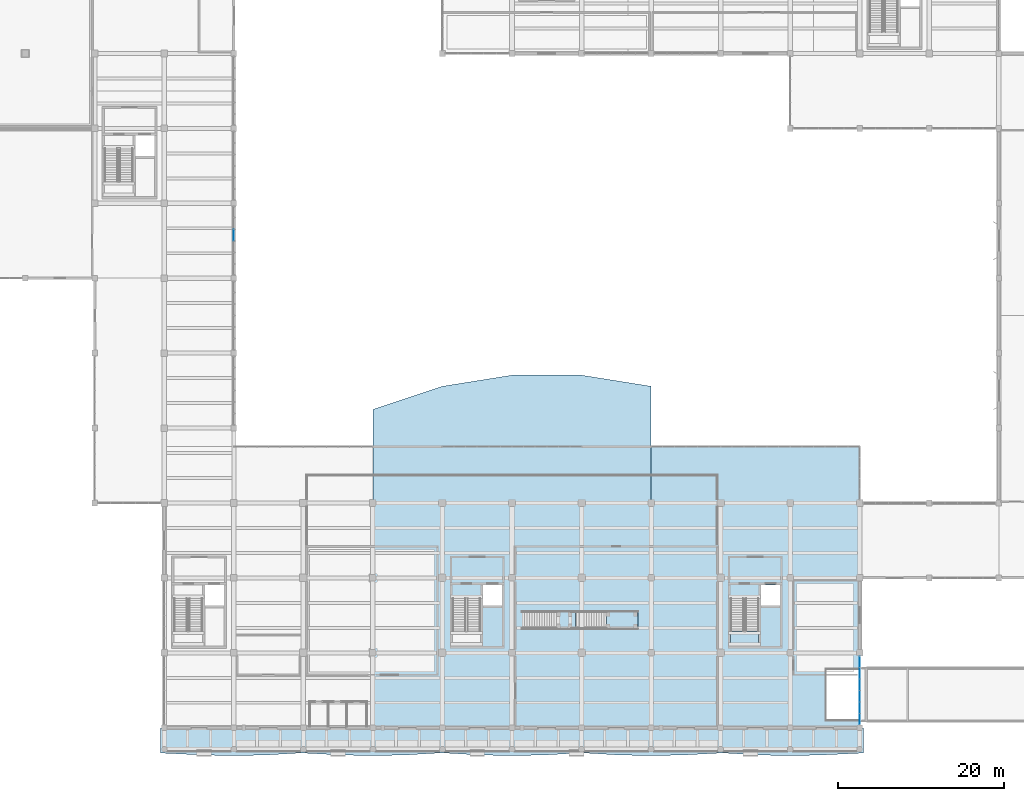
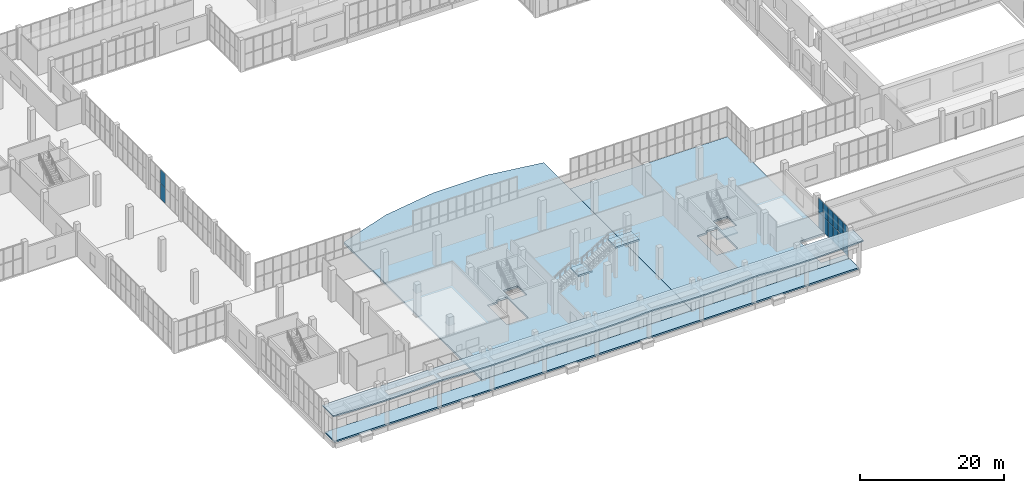
# One storey, part 64 of 91: 14 plates, 7 slabs, 4 elements without a shape of their own.
"""IFC4 building model written with IfcOpenShell, lengths in metres."""

import ifcopenshell
import ifcopenshell.guid

model = None  # the IFC model being written
_history = None  # IfcOwnerHistory: only IFC2X3 demands one
_inside = {}  # id of a spatial element -> (the spatial element, [elements in it])
_under = {}  # id of a project, library or spatial element -> (it, [spatial elements below it])
_declared = {}  # id of a project -> (the project, [libraries it declares])
_typed = {}  # id of a type object -> (the type object, [elements of that type])
_made_of = {}  # id of a material, layer set ... -> (it, [elements and type objects made of it])


def new_model(schema):
    """Start an empty IFC model of exactly this schema.

    Asked for "IFC4X3", IfcOpenShell would pick the latest addendum, in which some entities
    have other attributes; the version numbers below select the first issue.
    IFC2X3 requires an IfcOwnerHistory on every rooted entity: one is made here for all.
    """
    global model, _history
    if schema == "IFC4X3":
        model = ifcopenshell.file(schema_version=(4, 3, 0, 0))
    else:
        model = ifcopenshell.file(schema=schema)
    _inside.clear()
    _under.clear()
    _declared.clear()
    _typed.clear()
    _made_of.clear()
    _history = None
    if model.schema == "IFC2X3":
        org = make("IfcOrganization", Name="unknown")
        user = make(
            "IfcPersonAndOrganization",
            ThePerson=make("IfcPerson", FamilyName="unknown"),
            TheOrganization=org,
        )
        app = make(
            "IfcApplication",
            ApplicationDeveloper=org,
            Version="unknown",
            ApplicationFullName="unknown",
            ApplicationIdentifier="unknown",
        )
        _history = make(
            "IfcOwnerHistory",
            OwningUser=user,
            OwningApplication=app,
            ChangeAction="ADDED",
            CreationDate=0,
        )
    return model


def make(cls, **values):
    """One entity of the class cls with the attributes given. An attribute that is None is left unset."""
    return model.create_entity(
        cls, **{name: value for name, value in values.items() if value is not None}
    )


def rooted(cls, **values):
    """An entity with a GlobalId (a new one), such as an element, a storey or a relation."""
    return make(cls, GlobalId=ifcopenshell.guid.new(), OwnerHistory=_history, **values)


def si_unit(unit_type, name, prefix=None):
    """IfcSIUnit, for example si_unit("LENGTHUNIT", "METRE", prefix="MILLI")."""
    return make("IfcSIUnit", UnitType=unit_type, Prefix=prefix, Name=name)


def assignment(units):
    """IfcUnitAssignment: the units of a project."""
    return None if units is None else make("IfcUnitAssignment", Units=units)


def point(xyz):
    """IfcCartesianPoint."""
    return None if xyz is None else make("IfcCartesianPoint", Coordinates=xyz)


def direction(xyz):
    """IfcDirection."""
    return None if xyz is None else make("IfcDirection", DirectionRatios=xyz)


def frame(location, z_axis=None, x_axis=None):
    """IfcAxis2Placement3D, a coordinate frame: its origin and axes. An axis left out is left unset."""
    return make(
        "IfcAxis2Placement3D",
        Location=point(location),
        Axis=direction(z_axis),
        RefDirection=direction(x_axis),
    )


def frame_2d(location, x_axis=None):
    """IfcAxis2Placement2D, a coordinate frame in the plane: its origin and x axis."""
    return make(
        "IfcAxis2Placement2D", Location=point(location), RefDirection=direction(x_axis)
    )


def origin():
    """The frame at (0, 0, 0) with its axes left unset."""
    return frame((0.0, 0.0, 0.0))


def origin_2d():
    """The frame at (0, 0) in the plane with its x axis left unset."""
    return frame_2d((0.0, 0.0))


def place(relative_to, where):
    """IfcLocalPlacement: puts the frame where relative to a parent placement (None: the world)."""
    return make(
        "IfcLocalPlacement", PlacementRelTo=relative_to, RelativePlacement=where
    )


def context(
    kind, dimensions, precision=None, world=None, true_north=None, identifier=None
):
    """IfcGeometricRepresentationContext, for example the 3D "Model" context."""
    return make(
        "IfcGeometricRepresentationContext",
        ContextIdentifier=identifier,
        ContextType=kind,
        CoordinateSpaceDimension=dimensions,
        Precision=precision,
        WorldCoordinateSystem=world,
        TrueNorth=true_north,
    )


def subcontext(parent, identifier, kind, view, scale=None):
    """IfcGeometricRepresentationSubContext, for example "Body" below "Model"."""
    return make(
        "IfcGeometricRepresentationSubContext",
        ContextIdentifier=identifier,
        ContextType=kind,
        ParentContext=parent,
        TargetScale=scale,
        TargetView=view,
    )


def project(units=None, contexts=None):
    """IfcProject with its units and contexts."""
    return rooted(
        "IfcProject",
        Name="project",
        RepresentationContexts=contexts,
        UnitsInContext=assignment(units),
    )


def spatial(cls, under=None, at=None, **own):
    """A site, building, storey or space (cls), placed at a placement, below another one or the project."""
    s = rooted(cls, ObjectPlacement=at, **own)
    if under is not None:
        _under.setdefault(under.id(), (under, []))[1].append(s)
    return s


def polyline(points):
    """IfcPolyline through the points."""
    return make("IfcPolyline", Points=[point(p) for p in points])


def profile(cls, at=None, kind="AREA", **sizes):
    """A parametric profile (cls). Its sizes go by their IFC names, for example OverallWidth=200.0."""
    return make(cls, ProfileType=kind, Position=at, **sizes)


def rectangle(**sizes):
    """IfcRectangleProfileDef."""
    return profile("IfcRectangleProfileDef", **sizes)


def outline(outer, holes=None, kind="AREA"):
    """IfcArbitraryClosedProfileDef: a profile drawn as a closed curve; with holes, ...WithVoids."""
    if holes is None:
        return make("IfcArbitraryClosedProfileDef", ProfileType=kind, OuterCurve=outer)
    return make(
        "IfcArbitraryProfileDefWithVoids",
        ProfileType=kind,
        OuterCurve=outer,
        InnerCurves=holes,
    )


def extrude(swept, where, along, depth):
    """IfcExtrudedAreaSolid: the profile swept, set in the frame where, extruded along a direction by depth."""
    return make(
        "IfcExtrudedAreaSolid",
        SweptArea=swept,
        Position=where,
        ExtrudedDirection=direction(along),
        Depth=depth,
    )


def shape(context_of_items, identifier, shape_type, items):
    """IfcShapeRepresentation: the items that make up one representation, for example the "Body"."""
    return make(
        "IfcShapeRepresentation",
        ContextOfItems=context_of_items,
        RepresentationIdentifier=identifier,
        RepresentationType=shape_type,
        Items=items,
    )


def material(Name=None, Category=None):
    """IfcMaterial."""
    return make("IfcMaterial", Name=Name, Category=Category)


def layer(
    of_material, thickness, ventilated=None, Name=None, Category=None, Priority=None
):
    """IfcMaterialLayer: one layer of a wall or slab, of a material (None: an air gap)."""
    return make(
        "IfcMaterialLayer",
        Material=of_material,
        LayerThickness=thickness,
        IsVentilated=ventilated,
        Name=Name,
        Category=Category,
        Priority=Priority,
    )


def layer_set(layers, Name=None):
    """IfcMaterialLayerSet."""
    return make("IfcMaterialLayerSet", MaterialLayers=layers, LayerSetName=Name)


def made_of(thing, what):
    """Note that an element or type object is made of a material, layer set ...; save() writes the relation."""
    if what is not None:
        _made_of.setdefault(what.id(), (what, []))[1].append(thing)
    return thing


def type_object(cls, material=None, **own):
    """A type object (cls), such as IfcWallType, which elements share."""
    return made_of(rooted(cls, **own), material)


def element(
    cls,
    number,
    at=None,
    inside=None,
    cuts=None,
    type_object=None,
    material=None,
    context=None,
    identifier="Body",
    shape_type=None,
    held_by="IfcProductDefinitionShape",
    body=None,
    shapes=None,
    **own,
):
    """One element of the class cls, such as IfcWall. Its Tag is "e" and its number.

    at: its placement. inside: the storey or other place that contains it. cuts: it is an
    opening in that element (IfcRelVoidsElement). A single representation is given by context,
    identifier, shape_type and body (its items); several are given by shapes. held_by: the class
    of the entity that holds the representations. save() writes the other relations.
    """
    e = rooted(cls, Tag="e%d" % number, ObjectPlacement=at, **own)
    if body is not None:
        shapes = [shape(context, identifier, shape_type, body)]
    if shapes is not None:
        e.Representation = make(held_by, Representations=shapes)
    if inside is not None:
        _inside.setdefault(inside.id(), (inside, []))[1].append(e)
    if cuts is not None:
        rooted(
            "IfcRelVoidsElement", RelatingBuildingElement=cuts, RelatedOpeningElement=e
        )
    if type_object is not None:
        _typed.setdefault(type_object.id(), (type_object, []))[1].append(e)
    return made_of(e, material)


def aggregate(whole, parts):
    """IfcRelAggregates: a whole, such as a stair, and the parts it consists of."""
    return rooted("IfcRelAggregates", RelatingObject=whole, RelatedObjects=parts)


def save(model, path):
    """Write the relations noted so far, then the file.

    IfcRelAggregates (storeys below a building ...), IfcRelContainedInSpatialStructure (elements
    in a storey), IfcRelDefinesByType, IfcRelAssociatesMaterial and IfcRelDeclares: one each for
    every whole, place, type object, material and project.
    """
    for whole, parts in _under.values():
        aggregate(whole, parts)
    for where, things in _inside.values():
        rooted(
            "IfcRelContainedInSpatialStructure",
            RelatedElements=things,
            RelatingStructure=where,
        )
    for kind, things in _typed.values():
        rooted("IfcRelDefinesByType", RelatedObjects=things, RelatingType=kind)
    for what, things in _made_of.values():
        rooted("IfcRelAssociatesMaterial", RelatedObjects=things, RelatingMaterial=what)
    for by, libraries in _declared.values():
        rooted("IfcRelDeclares", RelatingContext=by, RelatedDefinitions=libraries)
    model.write(path)


model = new_model("IFC4")

# Units and contexts
model_context = context("Model", 3, precision=1e-05, world=origin(), true_north=direction((0.0, 1.0)))
body_context = subcontext(model_context, "Body", "Model", "MODEL_VIEW")
ifc_project = project(units=[si_unit("LENGTHUNIT", "METRE"), si_unit("AREAUNIT", "SQUARE_METRE"), si_unit("VOLUMEUNIT", "CUBIC_METRE"), si_unit("PLANEANGLEUNIT", "RADIAN"), si_unit("MASSUNIT", "GRAM", prefix="KILO")], contexts=[model_context])

# Site, building, storey
site_placement = place(None, origin())
site = spatial("IfcSite", under=ifc_project, at=site_placement, CompositionType="ELEMENT")
building_placement = place(site_placement, origin())
building = spatial("IfcBuilding", under=site, at=building_placement, Name="Khurvash Pelagic Aquarium", CompositionType="ELEMENT")
storey_placement = place(building_placement, origin())
storey = spatial("IfcBuildingStorey", under=building, at=storey_placement, Name="L00", CompositionType="ELEMENT", Elevation=0.0)

# Curtain wall, plates
ifc_material_1 = material(Name="Anodised aluminium and low-E laminated glass", Category="aluminium")
curtain_wall_type = type_object("IfcCurtainWallType", Name="CW-05", PredefinedType="USERDEFINED", material=ifc_material_1)
curtain_wall_1_placement = place(storey_placement, origin())
curtain_wall_1 = element("IfcCurtainWall", 1, at=curtain_wall_1_placement, inside=storey, type_object=curtain_wall_type, Name="L00 Facade Unitised Curtain Wall CW-05 0059", ObjectType="UNITISED CURTAIN WALL", PredefinedType="USERDEFINED")
ifc_material_2 = material(Name="Low-E laminated double glazing", Category="glass")
ifc_layer_1 = layer(ifc_material_2, 0.033935546875)
ifc_layer_set_1 = layer_set([ifc_layer_1], Name="Low-E laminated double glazing")
plate_type = type_object("IfcPlateType", Name="CG-05", PredefinedType="CURTAIN_PANEL", material=ifc_layer_set_1)
plate_1_placement = place(storey_placement, frame((109.199951171875, 3.660888671875, 0.06005859375), z_axis=(0.0, 0.0, 1.0), x_axis=(0.0, 1.0, 0.0)))
plate_1 = element("IfcPlate", 2, at=plate_1_placement, type_object=plate_type, Name="CW-05 panel 1.1", PredefinedType="CURTAIN_PANEL", context=body_context, shape_type="SweptSolid", body=[
    extrude(rectangle(XDim=1.291748046875, YDim=0.033935546875, at=origin_2d()), origin(), (0.0, 0.0, 1.0), 2.556884765625),
])
plate_2_placement = place(storey_placement, frame((109.199951171875, 3.660888671875, 2.677001953125), z_axis=(0.0, 0.0, 1.0), x_axis=(0.0, 1.0, 0.0)))
plate_2 = element("IfcPlate", 3, at=plate_2_placement, type_object=plate_type, Name="CW-05 panel 1.2", PredefinedType="CURTAIN_PANEL", context=body_context, shape_type="SweptSolid", body=[
    extrude(rectangle(XDim=1.291748046875, YDim=0.033935546875, at=origin_2d()), origin(), (0.0, 0.0, 1.0), 2.35302734375),
])
plate_3_placement = place(storey_placement, frame((109.199951171875, 5.027587890625, 0.06005859375), z_axis=(0.0, 0.0, 1.0), x_axis=(0.0, 1.0, 0.0)))
plate_3 = element("IfcPlate", 4, at=plate_3_placement, type_object=plate_type, Name="CW-05 panel 2.1", PredefinedType="CURTAIN_PANEL", context=body_context, shape_type="SweptSolid", body=[
    extrude(rectangle(XDim=1.32177734375, YDim=0.033935546875, at=origin_2d()), origin(), (0.0, 0.0, 1.0), 2.556884765625),
])
plate_4_placement = place(storey_placement, frame((109.199951171875, 5.027587890625, 2.677001953125), z_axis=(0.0, 0.0, 1.0), x_axis=(0.0, 1.0, 0.0)))
plate_4 = element("IfcPlate", 5, at=plate_4_placement, type_object=plate_type, Name="CW-05 panel 2.2", PredefinedType="CURTAIN_PANEL", context=body_context, shape_type="SweptSolid", body=[
    extrude(rectangle(XDim=1.32177734375, YDim=0.033935546875, at=origin_2d()), origin(), (0.0, 0.0, 1.0), 2.35302734375),
])
plate_5_placement = place(storey_placement, frame((109.199951171875, 6.4091796875, 0.06005859375), z_axis=(0.0, 0.0, 1.0), x_axis=(0.0, 1.0, 0.0)))
plate_5 = element("IfcPlate", 6, at=plate_5_placement, type_object=plate_type, Name="CW-05 panel 3.1", PredefinedType="CURTAIN_PANEL", context=body_context, shape_type="SweptSolid", body=[
    extrude(rectangle(XDim=1.32177734375, YDim=0.033935546875, at=origin_2d()), origin(), (0.0, 0.0, 1.0), 2.556884765625),
])
plate_6_placement = place(storey_placement, frame((109.199951171875, 6.4091796875, 2.677001953125), z_axis=(0.0, 0.0, 1.0), x_axis=(0.0, 1.0, 0.0)))
plate_6 = element("IfcPlate", 7, at=plate_6_placement, type_object=plate_type, Name="CW-05 panel 3.2", PredefinedType="CURTAIN_PANEL", context=body_context, shape_type="SweptSolid", body=[
    extrude(rectangle(XDim=1.32177734375, YDim=0.033935546875, at=origin_2d()), origin(), (0.0, 0.0, 1.0), 2.35302734375),
])
plate_7_placement = place(storey_placement, frame((109.199951171875, 7.790771484375, 0.06005859375), z_axis=(0.0, 0.0, 1.0), x_axis=(0.0, 1.0, 0.0)))
plate_7 = element("IfcPlate", 8, at=plate_7_placement, type_object=plate_type, Name="CW-05 panel 4.1", PredefinedType="CURTAIN_PANEL", context=body_context, shape_type="SweptSolid", body=[
    extrude(rectangle(XDim=1.32177734375, YDim=0.033935546875, at=origin_2d()), origin(), (0.0, 0.0, 1.0), 2.556884765625),
])
plate_8_placement = place(storey_placement, frame((109.199951171875, 7.790771484375, 2.677001953125), z_axis=(0.0, 0.0, 1.0), x_axis=(0.0, 1.0, 0.0)))
plate_8 = element("IfcPlate", 9, at=plate_8_placement, type_object=plate_type, Name="CW-05 panel 4.2", PredefinedType="CURTAIN_PANEL", context=body_context, shape_type="SweptSolid", body=[
    extrude(rectangle(XDim=1.32177734375, YDim=0.033935546875, at=origin_2d()), origin(), (0.0, 0.0, 1.0), 2.35302734375),
])
plate_9_placement = place(storey_placement, frame((109.199951171875, 9.172607421875, 0.06005859375), z_axis=(0.0, 0.0, 1.0), x_axis=(0.0, 1.0, 0.0)))
plate_9 = element("IfcPlate", 10, at=plate_9_placement, type_object=plate_type, Name="CW-05 panel 5.1", PredefinedType="CURTAIN_PANEL", context=body_context, shape_type="SweptSolid", body=[
    extrude(rectangle(XDim=1.32177734375, YDim=0.033935546875, at=origin_2d()), origin(), (0.0, 0.0, 1.0), 2.556884765625),
])
plate_10_placement = place(storey_placement, frame((109.199951171875, 9.172607421875, 2.677001953125), z_axis=(0.0, 0.0, 1.0), x_axis=(0.0, 1.0, 0.0)))
plate_10 = element("IfcPlate", 11, at=plate_10_placement, type_object=plate_type, Name="CW-05 panel 5.2", PredefinedType="CURTAIN_PANEL", context=body_context, shape_type="SweptSolid", body=[
    extrude(rectangle(XDim=1.32177734375, YDim=0.033935546875, at=origin_2d()), origin(), (0.0, 0.0, 1.0), 2.35302734375),
])
plate_11_placement = place(storey_placement, frame((109.199951171875, 10.5390625, 0.06005859375), z_axis=(0.0, 0.0, 1.0), x_axis=(0.0, 1.0, 0.0)))
plate_11 = element("IfcPlate", 12, at=plate_11_placement, type_object=plate_type, Name="CW-05 panel 6.1", PredefinedType="CURTAIN_PANEL", context=body_context, shape_type="SweptSolid", body=[
    extrude(rectangle(XDim=1.291748046875, YDim=0.033935546875, at=origin_2d()), origin(), (0.0, 0.0, 1.0), 2.556884765625),
])
plate_12_placement = place(storey_placement, frame((109.199951171875, 10.5390625, 2.677001953125), z_axis=(0.0, 0.0, 1.0), x_axis=(0.0, 1.0, 0.0)))
plate_12 = element("IfcPlate", 13, at=plate_12_placement, type_object=plate_type, Name="CW-05 panel 6.2", PredefinedType="CURTAIN_PANEL", context=body_context, shape_type="SweptSolid", body=[
    extrude(rectangle(XDim=1.291748046875, YDim=0.033935546875, at=origin_2d()), origin(), (0.0, 0.0, 1.0), 2.35302734375),
])
aggregate(curtain_wall_1, [plate_1, plate_2, plate_3, plate_4, plate_5, plate_6, plate_7, plate_8, plate_9, plate_10, plate_11, plate_12])

curtain_wall_2_placement = place(storey_placement, origin())
curtain_wall_2 = element("IfcCurtainWall", 14, at=curtain_wall_2_placement, inside=storey, type_object=curtain_wall_type, Name="L00 Facade Unitised Curtain Wall CW-05 0077", ObjectType="UNITISED CURTAIN WALL", PredefinedType="USERDEFINED")
plate_13_placement = place(storey_placement, frame((33.60009765625, 62.1201171875, 0.06005859375), z_axis=(0.0, 0.0, 1.0), x_axis=(0.0, 1.0, 0.0)))
plate_13 = element("IfcPlate", 15, at=plate_13_placement, type_object=plate_type, Name="CW-05 panel 4.1", PredefinedType="CURTAIN_PANEL", context=body_context, shape_type="SweptSolid", body=[
    extrude(rectangle(XDim=1.330078125, YDim=0.033935546875, at=origin_2d()), origin(), (0.0, 0.0, 1.0), 2.556884765625),
])
plate_14_placement = place(storey_placement, frame((33.60009765625, 62.1201171875, 2.677001953125), z_axis=(0.0, 0.0, 1.0), x_axis=(0.0, 1.0, 0.0)))
plate_14 = element("IfcPlate", 16, at=plate_14_placement, type_object=plate_type, Name="CW-05 panel 4.2", PredefinedType="CURTAIN_PANEL", context=body_context, shape_type="SweptSolid", body=[
    extrude(rectangle(XDim=1.330078125, YDim=0.033935546875, at=origin_2d()), origin(), (0.0, 0.0, 1.0), 2.35302734375),
])
aggregate(curtain_wall_2, [plate_13, plate_14])

# Slabs
ifc_material_3 = material(Name="Concrete C40/50", Category="concrete")
ifc_layer_2 = layer(ifc_material_3, 0.320068359375)
ifc_layer_set_2 = layer_set([ifc_layer_2], Name="Concrete C40/50")
slab_type_1 = type_object("IfcSlabType", Name="FS-320", PredefinedType="FLOOR", material=ifc_layer_set_2)
slab_1_placement = place(storey_placement, frame((0.0, 0.0, -0.320068359375)))
element("IfcSlab", 17, at=slab_1_placement, inside=storey, type_object=slab_type_1, Name="L00 Structural Floor Slab FS-320 V3_SOUTH.2", PredefinedType="FLOOR", context=body_context, shape_type="SweptSolid", body=[
    extrude(outline(polyline([(58.800048828125, 43.846923828125), (50.39990234375, 41.05810546875), (50.39990234375, 36.550048828125), (50.39990234375, 2.60009765625), (84.0, 2.60009765625), (84.0, 43.846923828125), (75.60009765625, 45.18701171875), (67.199951171875, 45.18701171875), (58.800048828125, 43.846923828125)]), holes=[polyline([(61.60009765625, 18.25), (63.39990234375, 18.25), (63.39990234375, 12.449951171875), (60.0, 12.449951171875), (60.0, 17.8701171875), (61.60009765625, 17.8701171875), (61.60009765625, 18.25)]), polyline([(66.0, 17.35009765625), (63.699951171875, 17.35009765625), (63.699951171875, 19.85009765625), (66.0, 19.85009765625), (66.0, 17.35009765625)])]), origin(), (0.0, 0.0, 1.0), 0.320068359375),
])
slab_2_placement = place(storey_placement, frame((0.0, 0.0, -0.320068359375)))
element("IfcSlab", 18, at=slab_2_placement, inside=storey, type_object=slab_type_1, Name="L00 Structural Floor Slab FS-320 V3_SOUTH.3", PredefinedType="FLOOR", context=body_context, shape_type="SweptSolid", body=[
    extrude(outline(polyline([(105.199951171875, 9.60009765625), (109.199951171875, 9.60009765625), (109.199951171875, 36.550048828125), (84.0, 36.550048828125), (84.0, 2.60009765625), (109.199951171875, 2.60009765625), (109.199951171875, 3.60009765625), (105.199951171875, 3.60009765625), (105.199951171875, 9.60009765625)]), holes=[polyline([(95.199951171875, 18.25), (97.0, 18.25), (97.0, 12.449951171875), (93.60009765625, 12.449951171875), (93.60009765625, 17.8701171875), (95.199951171875, 17.8701171875), (95.199951171875, 18.25)]), polyline([(99.60009765625, 17.35009765625), (97.300048828125, 17.35009765625), (97.300048828125, 19.85009765625), (99.60009765625, 19.85009765625), (99.60009765625, 17.35009765625)])]), origin(), (0.0, 0.0, 1.0), 0.320068359375),
])
ifc_material_4 = material(Name="Concrete C35/45", Category="concrete")
ifc_layer_3 = layer(ifc_material_4, 0.219970703125)
ifc_layer_set_3 = layer_set([ifc_layer_3], Name="Concrete C35/45")
slab_type_2 = type_object("IfcSlabType", Name="RS-220", PredefinedType="ROOF", material=ifc_layer_set_3)
slab_3_placement = place(storey_placement, frame((0.0, 0.0, 4.5)))
element("IfcSlab", 19, at=slab_3_placement, inside=storey, type_object=slab_type_2, Name="L00 Boulevard Arcade Parametric Wave Canopy Roof Slab RS-220", PredefinedType="ROOF", context=body_context, shape_type="SweptSolid", body=[
    extrude(outline(polyline([(28.9951171875, -0.655029296875), (33.239990234375, -0.779052734375), (37.485107421875, -0.68896484375), (41.72998046875, -0.43798828125), (45.97509765625, -0.6640625), (50.219970703125, -0.780029296875), (54.465087890625, -0.680908203125), (58.7099609375, -0.426025390625), (62.955078125, -0.672119140625), (67.199951171875, -0.780029296875), (71.445068359375, -0.672119140625), (75.68994140625, -0.426025390625), (79.93505859375, -0.680908203125), (84.179931640625, -0.780029296875), (88.425048828125, -0.6640625), (92.669921875, -0.43798828125), (96.9150390625, -0.68896484375), (101.159912109375, -0.779052734375), (105.405029296875, -0.655029296875), (109.64990234375, -0.449951171875), (109.64990234375, 2.60009765625), (24.75, 2.60009765625), (24.75, -0.449951171875), (28.9951171875, -0.655029296875)])), origin(), (0.0, 0.0, 1.0), 0.219970703125),
])

# Stair, slab
stair_type_1 = type_object("IfcStairType", Name="ST-03", PredefinedType="HALF_TURN_STAIR", material=ifc_material_4)
stair_1_placement = place(storey_placement, origin())
stair_1 = element("IfcStair", 20, at=stair_1_placement, inside=storey, type_object=stair_type_1, Name="L00 Protected Exit Stair ST-03", PredefinedType="HALF_TURN_STAIR")
ifc_layer_4 = layer(ifc_material_4, 0.199951171875)
ifc_layer_set_4 = layer_set([ifc_layer_4], Name="Concrete C35/45")
slab_type_3 = type_object("IfcSlabType", Name="SL-LND-200", PredefinedType="LANDING", material=ifc_layer_set_4)
slab_4_placement = place(storey_placement, frame((0.0, 0.0, 2.5)))
slab_4 = element("IfcSlab", 21, at=slab_4_placement, type_object=slab_type_3, Name="ST-03 landing 1", PredefinedType="LANDING", context=body_context, shape_type="SweptSolid", body=[
    extrude(outline(polyline([(93.60009765625, 14.260009765625), (93.60009765625, 12.449951171875), (97.0, 12.449951171875), (97.0, 14.260009765625), (93.60009765625, 14.260009765625)])), origin(), (0.0, 0.0, 1.0), 0.199951171875),
])
aggregate(stair_1, [slab_4])

# Stair, slabs
stair_type_2 = type_object("IfcStairType", Name="ST-07", PredefinedType="STRAIGHT_RUN_STAIR", material=ifc_material_4)
stair_2_placement = place(storey_placement, origin())
stair_2 = element("IfcStair", 22, at=stair_2_placement, inside=storey, type_object=stair_type_2, Name="L00 Grand Sehan Foyer Feature Stair ST-07", PredefinedType="STRAIGHT_RUN_STAIR")
ifc_layer_5 = layer(ifc_material_4, 0.300048828125)
ifc_layer_set_5 = layer_set([ifc_layer_5], Name="Concrete C35/45")
slab_type_4 = type_object("IfcSlabType", Name="SL-LND-300", PredefinedType="LANDING", material=ifc_layer_set_5)
slab_5_placement = place(storey_placement, frame((0.0, 0.0, 2.39990234375)))
slab_5 = element("IfcSlab", 23, at=slab_5_placement, type_object=slab_type_4, Name="ST-07 landing 1", PredefinedType="LANDING", context=body_context, shape_type="SweptSolid", body=[
    extrude(outline(polyline([(72.60009765625, 14.5), (74.85009765625, 14.5), (74.85009765625, 16.699951171875), (72.60009765625, 16.699951171875), (72.60009765625, 14.5)])), origin(), (0.0, 0.0, 1.0), 0.300048828125),
])
slab_6_placement = place(storey_placement, frame((0.0, 0.0, 5.10009765625)))
slab_6 = element("IfcSlab", 24, at=slab_6_placement, type_object=slab_type_4, Name="ST-07 landing 2", PredefinedType="LANDING", context=body_context, shape_type="SweptSolid", body=[
    extrude(outline(polyline([(78.60009765625, 14.5), (82.39990234375, 14.5), (82.39990234375, 16.699951171875), (78.60009765625, 16.699951171875), (78.60009765625, 14.5)])), origin(), (0.0, 0.0, 1.0), 0.2998046875),
])
aggregate(stair_2, [slab_5, slab_6])

# Slab
ifc_layer_6 = layer(ifc_material_3, 0.27001953125)
ifc_layer_set_6 = layer_set([ifc_layer_6], Name="Concrete C40/50")
slab_type_5 = type_object("IfcSlabType", Name="TR-270", PredefinedType="FLOOR", material=ifc_layer_set_6)
slab_7_placement = place(storey_placement, frame((0.0, 0.0, -0.27001953125)))
element("IfcSlab", 25, at=slab_7_placement, inside=storey, type_object=slab_type_5, Name="L00 Boulevard Pedestrian Arcade Slab TR-270", PredefinedType="FLOOR", context=body_context, shape_type="SweptSolid", body=[
    extrude(outline(polyline([(25.199951171875, 0.0), (109.199951171875, 0.0), (109.199951171875, 2.60009765625), (25.199951171875, 2.60009765625), (25.199951171875, 0.0)])), origin(), (0.0, 0.0, 1.0), 0.27001953125),
])

save(model, "model.ifc")
